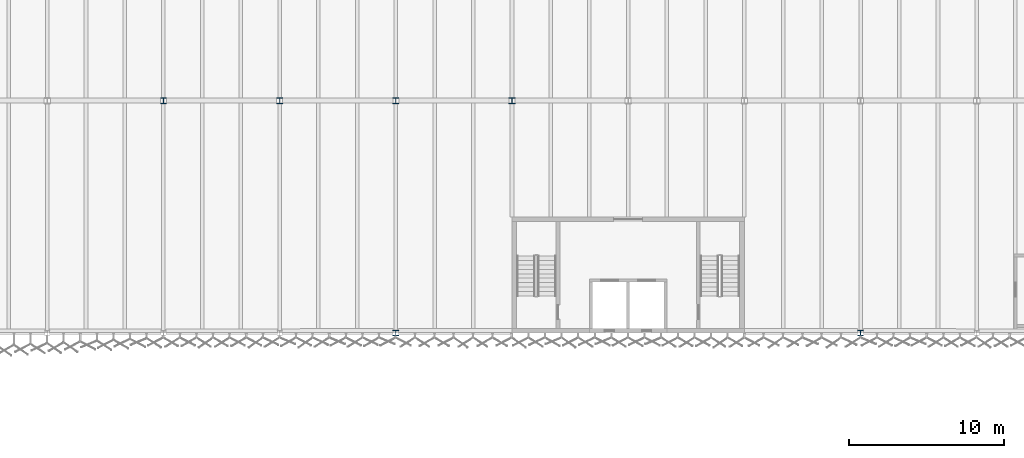
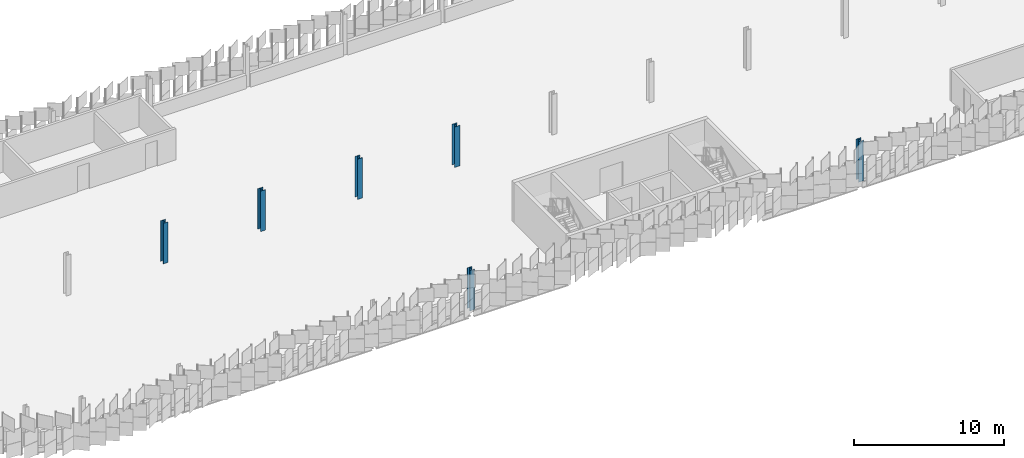
# One storey, part 10 of 198: 6 columns.
"""IFC4 building model written with IfcOpenShell, lengths in metres."""

from ifc_helpers import new_model, si_unit, direction, frame, origin, origin_2d, place, context, subcontext, project, spatial, i_section, extrude, material, material_profile, profile_set, type_object, element, save


model = new_model("IFC4")

# Units and contexts
model_context = context("Model", 3, precision=1e-05, world=origin(), true_north=direction((0.0, 1.0)))
body_context = subcontext(model_context, "Body", "Model", "MODEL_VIEW")
ifc_project = project(units=[si_unit("LENGTHUNIT", "METRE"), si_unit("AREAUNIT", "SQUARE_METRE"), si_unit("VOLUMEUNIT", "CUBIC_METRE"), si_unit("PLANEANGLEUNIT", "RADIAN"), si_unit("MASSUNIT", "GRAM", prefix="KILO")], contexts=[model_context])

# Site, building, storey
site_placement = place(None, origin())
site = spatial("IfcSite", under=ifc_project, at=site_placement, CompositionType="ELEMENT")
building_placement = place(site_placement, origin())
building = spatial("IfcBuilding", under=site, at=building_placement, Name="Parallax Yard Mobility Hub", CompositionType="ELEMENT")
storey_placement = place(building_placement, frame((0.0, 0.0, 6.60009765625)))
storey = spatial("IfcBuildingStorey", under=building, at=storey_placement, Name="L02", CompositionType="ELEMENT", Elevation=6.60009765625)

# Columns
ifc_material = material(Name="Steel ASTM A992", Category="steel")
ifc_material_profile_1 = material_profile(ifc_material, i_section(OverallWidth=0.373046875, OverallDepth=0.367919921875, WebThickness=0.014892578125, FlangeThickness=0.02392578125, FilletRadius=0.01513671875, at=origin_2d()), Name="W360x179")
ifc_profile_set_1 = profile_set([ifc_material_profile_1], Name="Steel ASTM A992")
column_type_1 = type_object("IfcColumnType", Name="W360x179 column", PredefinedType="COLUMN", material=ifc_profile_set_1)
for number, where, z_axis, x_axis, name in (
    (1, (45.0, 127.5, 0.0), (0.0, 0.0, 1.0), (1.0, 0.0, 0.0), "Column C7 level L02 at T/7 of ramped parking decks"),
    (2, (52.5, 127.5, 0.0), (0.0, 0.0, 1.0), (1.0, 0.0, 0.0), "Column C7 level L02 at T/8 of ramped parking decks"),
    (3, (60.0, 112.5, 0.0), (0.0, 0.0, 1.0), (1.0, 0.0, 0.0), "Column C7 level L02 at R/9 of ramped parking decks"),
    (4, (60.0, 127.5, 0.0), (0.0, 0.0, 1.0), (1.0, 0.0, 0.0), "Column C7 level L02 at T/9 of ramped parking decks"),
    (5, (90.0, 112.5, 0.0), (0.0, 0.0, 1.0), (1.0, 0.0, 0.0), "Column C7 level L02 at R/13 of ramped parking decks"),
):
    element("IfcColumn", number, at=place(storey_placement, frame(where, z_axis=z_axis, x_axis=x_axis)), inside=storey, type_object=column_type_1, Name=name, PredefinedType="COLUMN", context=body_context, shape_type="SweptSolid", body=[
        extrude(i_section(OverallWidth=0.373046875, OverallDepth=0.367919921875, WebThickness=0.014892578125, FlangeThickness=0.02392578125, FilletRadius=0.01513671875, at=origin_2d()), origin(), (0.0, 0.0, 1.0), 3.2998046875),
    ])
ifc_material_profile_2 = material_profile(ifc_material, i_section(OverallWidth=0.39404296875, OverallDepth=0.3759765625, WebThickness=0.017333984375, FlangeThickness=0.027587890625, FilletRadius=0.01513671875, at=origin_2d()), Name="W360x216")
ifc_profile_set_2 = profile_set([ifc_material_profile_2], Name="Steel ASTM A992")
column_type_2 = type_object("IfcColumnType", Name="W360x216 column", PredefinedType="COLUMN", material=ifc_profile_set_2)
column_placement = place(storey_placement, frame((67.5, 127.5, 0.0), z_axis=(0.0, 0.0, 1.0), x_axis=(1.0, 0.0, 0.0)))
element("IfcColumn", 6, at=column_placement, inside=storey, type_object=column_type_2, Name="Column C9 level L02 at T/10 of ramped parking decks", PredefinedType="COLUMN", context=body_context, shape_type="SweptSolid", body=[
    extrude(i_section(OverallWidth=0.39404296875, OverallDepth=0.3759765625, WebThickness=0.017333984375, FlangeThickness=0.027587890625, FilletRadius=0.01513671875, at=origin_2d()), origin(), (0.0, 0.0, 1.0), 3.2998046875),
])

save(model, "model.ifc")
